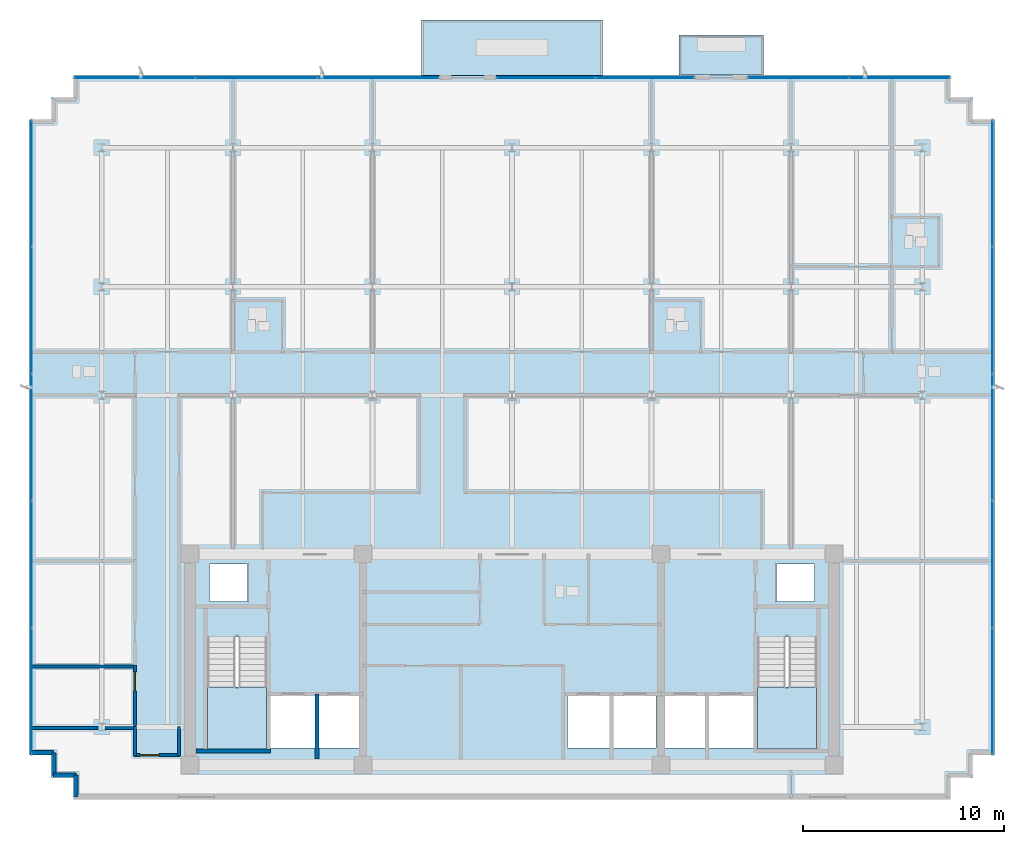
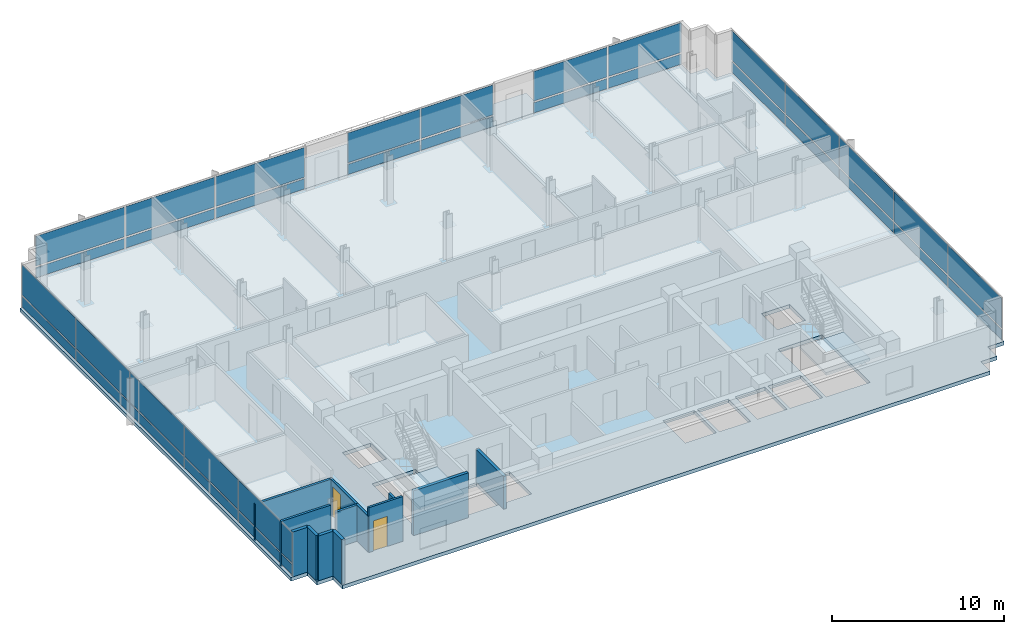
# One storey, part 10 of 19: 34 plates, 13 walls, 5 slabs, 2 doors, 2 openings, 7 elements without a shape of their own.
"""IFC4 building model written with IfcOpenShell, lengths in metres."""

from ifc_helpers import new_model, si_unit, direction, frame, frame_2d, origin, origin_2d, place, context, subcontext, project, spatial, polyline, rectangle, outline, extrude, material, layer, layer_set, type_object, element, fill, aggregate, save


model = new_model("IFC4")

# Units and contexts
model_context = context("Model", 3, precision=1e-05, world=origin(), true_north=direction((0.0, 1.0)))
body_context = subcontext(model_context, "Body", "Model", "MODEL_VIEW")
ifc_project = project(units=[si_unit("LENGTHUNIT", "METRE"), si_unit("AREAUNIT", "SQUARE_METRE"), si_unit("VOLUMEUNIT", "CUBIC_METRE"), si_unit("PLANEANGLEUNIT", "RADIAN"), si_unit("MASSUNIT", "GRAM", prefix="KILO")], contexts=[model_context])

# Site, building, storey
site_placement = place(None, origin())
site = spatial("IfcSite", under=ifc_project, at=site_placement, CompositionType="ELEMENT")
building_placement = place(site_placement, origin())
building = spatial("IfcBuilding", under=site, at=building_placement, Name="Solmavex Isthmus Hotel", CompositionType="ELEMENT")
storey_placement = place(building_placement, frame((0.0, 0.0, 262.64990234375)))
storey = spatial("IfcBuildingStorey", under=building, at=storey_placement, Name="L71", CompositionType="ELEMENT", Elevation=262.64990234375)

# Curtain wall, plates
ifc_material_1 = material(Name="Aluminium alloy 6063-T6", Category="aluminium")
curtain_wall_type = type_object("IfcCurtainWallType", Name="CW-SYS-06", PredefinedType="NOTDEFINED", material=ifc_material_1)
curtain_wall_1_placement = place(storey_placement, origin())
curtain_wall_1 = element("IfcCurtainWall", 1, at=curtain_wall_1_placement, inside=storey, type_object=curtain_wall_type, Name="Stick Curtain Wall CWL-L71-N1", PredefinedType="NOTDEFINED")
ifc_material_2 = material(Name="Clear low-E laminated glass", Category="glass")
ifc_layer_1 = layer(ifc_material_2, 0.028076171875)
ifc_layer_set_1 = layer_set([ifc_layer_1], Name="Clear low-E laminated glass")
plate_type = type_object("IfcPlateType", Name="CW-SYS-06-PNL", PredefinedType="CURTAIN_PANEL", material=ifc_layer_set_1)
plate_1_placement = place(storey_placement, frame((-18.751708984375, 21.179931640625, 0.114990234375), z_axis=(0.0, 0.0, 1.0), x_axis=(1.0, 0.0, 0.0)))
plate_1 = element("IfcPlate", 2, at=plate_1_placement, type_object=plate_type, Name="CW-06 panel 1.1", PredefinedType="CURTAIN_PANEL", context=body_context, shape_type="SweptSolid", body=[
    extrude(rectangle(XDim=5.9765625, YDim=0.028076171875, at=origin_2d()), origin(), (0.0, 0.0, 1.0), 0.7275390625),
])
plate_2_placement = place(storey_placement, frame((-18.751708984375, 21.179931640625, 0.95751953125), z_axis=(0.0, 0.0, 1.0), x_axis=(1.0, 0.0, 0.0)))
plate_2 = element("IfcPlate", 3, at=plate_2_placement, type_object=plate_type, Name="CW-06 panel 1.2", PredefinedType="CURTAIN_PANEL", context=body_context, shape_type="SweptSolid", body=[
    extrude(rectangle(XDim=5.9765625, YDim=0.028076171875, at=origin_2d()), origin(), (0.0, 0.0, 1.0), 2.117431640625),
])
plate_3_placement = place(storey_placement, frame((-12.699951171875, 21.179931640625, 0.114990234375), z_axis=(0.0, 0.0, 1.0), x_axis=(1.0, 0.0, 0.0)))
plate_3 = element("IfcPlate", 4, at=plate_3_placement, type_object=plate_type, Name="CW-06 panel 2.1", PredefinedType="CURTAIN_PANEL", context=body_context, shape_type="SweptSolid", body=[
    extrude(rectangle(XDim=6.006591796875, YDim=0.028076171875, at=origin_2d()), origin(), (0.0, 0.0, 1.0), 0.7275390625),
])
plate_4_placement = place(storey_placement, frame((-12.699951171875, 21.179931640625, 0.95751953125), z_axis=(0.0, 0.0, 1.0), x_axis=(1.0, 0.0, 0.0)))
plate_4 = element("IfcPlate", 5, at=plate_4_placement, type_object=plate_type, Name="CW-06 panel 2.2", PredefinedType="CURTAIN_PANEL", context=body_context, shape_type="SweptSolid", body=[
    extrude(rectangle(XDim=6.006591796875, YDim=0.028076171875, at=origin_2d()), origin(), (0.0, 0.0, 1.0), 2.117431640625),
])
plate_5_placement = place(storey_placement, frame((-6.6484375, 21.179931640625, 0.114990234375), z_axis=(0.0, 0.0, 1.0), x_axis=(1.0, 0.0, 0.0)))
plate_5 = element("IfcPlate", 6, at=plate_5_placement, type_object=plate_type, Name="CW-06 panel 3.1", PredefinedType="CURTAIN_PANEL", context=body_context, shape_type="SweptSolid", body=[
    extrude(rectangle(XDim=5.9765625, YDim=0.028076171875, at=origin_2d()), origin(), (0.0, 0.0, 1.0), 0.7275390625),
])
plate_6_placement = place(storey_placement, frame((-6.6484375, 21.179931640625, 0.95751953125), z_axis=(0.0, 0.0, 1.0), x_axis=(1.0, 0.0, 0.0)))
plate_6 = element("IfcPlate", 7, at=plate_6_placement, type_object=plate_type, Name="CW-06 panel 3.2", PredefinedType="CURTAIN_PANEL", context=body_context, shape_type="SweptSolid", body=[
    extrude(rectangle(XDim=5.9765625, YDim=0.028076171875, at=origin_2d()), origin(), (0.0, 0.0, 1.0), 2.117431640625),
])
aggregate(curtain_wall_1, [plate_1, plate_2, plate_3, plate_4, plate_5, plate_6])

curtain_wall_2_placement = place(storey_placement, origin())
curtain_wall_2 = element("IfcCurtainWall", 8, at=curtain_wall_2_placement, inside=storey, type_object=curtain_wall_type, Name="Stick Curtain Wall CWL-L71-N2", PredefinedType="NOTDEFINED")
plate_7_placement = place(storey_placement, frame((1.69091796875, 21.179931640625, 0.114990234375), z_axis=(0.0, 0.0, 1.0), x_axis=(1.0, 0.0, 0.0)))
plate_7 = element("IfcPlate", 9, at=plate_7_placement, type_object=plate_type, Name="CW-06 panel 1.1", PredefinedType="CURTAIN_PANEL", context=body_context, shape_type="SweptSolid", body=[
    extrude(rectangle(XDim=4.862060546875, YDim=0.028076171875, at=origin_2d()), origin(), (0.0, 0.0, 1.0), 0.7275390625),
])
plate_8_placement = place(storey_placement, frame((1.69091796875, 21.179931640625, 0.95751953125), z_axis=(0.0, 0.0, 1.0), x_axis=(1.0, 0.0, 0.0)))
plate_8 = element("IfcPlate", 10, at=plate_8_placement, type_object=plate_type, Name="CW-06 panel 1.2", PredefinedType="CURTAIN_PANEL", context=body_context, shape_type="SweptSolid", body=[
    extrude(rectangle(XDim=4.862060546875, YDim=0.028076171875, at=origin_2d()), origin(), (0.0, 0.0, 1.0), 2.117431640625),
])
plate_9_placement = place(storey_placement, frame((6.613037109375, 21.179931640625, 0.114990234375), z_axis=(0.0, 0.0, 1.0), x_axis=(1.0, 0.0, 0.0)))
plate_9 = element("IfcPlate", 11, at=plate_9_placement, type_object=plate_type, Name="CW-06 panel 2.1", PredefinedType="CURTAIN_PANEL", context=body_context, shape_type="SweptSolid", body=[
    extrude(rectangle(XDim=4.862060546875, YDim=0.028076171875, at=origin_2d()), origin(), (0.0, 0.0, 1.0), 0.7275390625),
])
plate_10_placement = place(storey_placement, frame((6.613037109375, 21.179931640625, 0.95751953125), z_axis=(0.0, 0.0, 1.0), x_axis=(1.0, 0.0, 0.0)))
plate_10 = element("IfcPlate", 12, at=plate_10_placement, type_object=plate_type, Name="CW-06 panel 2.2", PredefinedType="CURTAIN_PANEL", context=body_context, shape_type="SweptSolid", body=[
    extrude(rectangle(XDim=4.862060546875, YDim=0.028076171875, at=origin_2d()), origin(), (0.0, 0.0, 1.0), 2.117431640625),
])
aggregate(curtain_wall_2, [plate_7, plate_8, plate_9, plate_10])

curtain_wall_3_placement = place(storey_placement, origin())
curtain_wall_3 = element("IfcCurtainWall", 13, at=curtain_wall_3_placement, inside=storey, type_object=curtain_wall_type, Name="Stick Curtain Wall CWL-L71-N3", PredefinedType="NOTDEFINED")
plate_11_placement = place(storey_placement, frame((14.242919921875, 21.179931640625, 0.114990234375), z_axis=(0.0, 0.0, 1.0), x_axis=(1.0, 0.0, 0.0)))
plate_11 = element("IfcPlate", 14, at=plate_11_placement, type_object=plate_type, Name="CW-06 panel 1.1", PredefinedType="CURTAIN_PANEL", context=body_context, shape_type="SweptSolid", body=[
    extrude(rectangle(XDim=4.9580078125, YDim=0.028076171875, at=origin_2d()), origin(), (0.0, 0.0, 1.0), 0.7275390625),
])
plate_12_placement = place(storey_placement, frame((14.242919921875, 21.179931640625, 0.95751953125), z_axis=(0.0, 0.0, 1.0), x_axis=(1.0, 0.0, 0.0)))
plate_12 = element("IfcPlate", 15, at=plate_12_placement, type_object=plate_type, Name="CW-06 panel 1.2", PredefinedType="CURTAIN_PANEL", context=body_context, shape_type="SweptSolid", body=[
    extrude(rectangle(XDim=4.9580078125, YDim=0.028076171875, at=origin_2d()), origin(), (0.0, 0.0, 1.0), 2.117431640625),
])
plate_13_placement = place(storey_placement, frame((19.260986328125, 21.179931640625, 0.114990234375), z_axis=(0.0, 0.0, 1.0), x_axis=(1.0, 0.0, 0.0)))
plate_13 = element("IfcPlate", 16, at=plate_13_placement, type_object=plate_type, Name="CW-06 panel 2.1", PredefinedType="CURTAIN_PANEL", context=body_context, shape_type="SweptSolid", body=[
    extrude(rectangle(XDim=4.9580078125, YDim=0.028076171875, at=origin_2d()), origin(), (0.0, 0.0, 1.0), 0.7275390625),
])
plate_14_placement = place(storey_placement, frame((19.260986328125, 21.179931640625, 0.95751953125), z_axis=(0.0, 0.0, 1.0), x_axis=(1.0, 0.0, 0.0)))
plate_14 = element("IfcPlate", 17, at=plate_14_placement, type_object=plate_type, Name="CW-06 panel 2.2", PredefinedType="CURTAIN_PANEL", context=body_context, shape_type="SweptSolid", body=[
    extrude(rectangle(XDim=4.9580078125, YDim=0.028076171875, at=origin_2d()), origin(), (0.0, 0.0, 1.0), 2.117431640625),
])
aggregate(curtain_wall_3, [plate_11, plate_12, plate_13, plate_14])

curtain_wall_4_placement = place(storey_placement, origin())
curtain_wall_4 = element("IfcCurtainWall", 18, at=curtain_wall_4_placement, inside=storey, type_object=curtain_wall_type, Name="Stick Curtain Wall CWL-L71-W1", PredefinedType="NOTDEFINED")
plate_15_placement = place(storey_placement, frame((-23.8798828125, -9.324951171875, 0.114990234375), z_axis=(0.0, 0.0, 1.0), x_axis=(0.0, 1.0, 0.0)))
plate_15 = element("IfcPlate", 19, at=plate_15_placement, type_object=plate_type, Name="CW-06 panel 1.1", PredefinedType="CURTAIN_PANEL", context=body_context, shape_type="SweptSolid", body=[
    extrude(rectangle(XDim=6.22998046875, YDim=0.028076171875, at=origin_2d()), origin(), (0.0, 0.0, 1.0), 0.7275390625),
])
plate_16_placement = place(storey_placement, frame((-23.8798828125, -9.324951171875, 0.95751953125), z_axis=(0.0, 0.0, 1.0), x_axis=(0.0, 1.0, 0.0)))
plate_16 = element("IfcPlate", 20, at=plate_16_placement, type_object=plate_type, Name="CW-06 panel 1.2", PredefinedType="CURTAIN_PANEL", context=body_context, shape_type="SweptSolid", body=[
    extrude(rectangle(XDim=6.22998046875, YDim=0.028076171875, at=origin_2d()), origin(), (0.0, 0.0, 1.0), 2.117431640625),
])
plate_17_placement = place(storey_placement, frame((-23.8798828125, -3.02001953125, 0.114990234375), z_axis=(0.0, 0.0, 1.0), x_axis=(0.0, 1.0, 0.0)))
plate_17 = element("IfcPlate", 21, at=plate_17_placement, type_object=plate_type, Name="CW-06 panel 2.1", PredefinedType="CURTAIN_PANEL", context=body_context, shape_type="SweptSolid", body=[
    extrude(rectangle(XDim=6.260009765625, YDim=0.028076171875, at=origin_2d()), origin(), (0.0, 0.0, 1.0), 0.7275390625),
])
plate_18_placement = place(storey_placement, frame((-23.8798828125, -3.02001953125, 0.95751953125), z_axis=(0.0, 0.0, 1.0), x_axis=(0.0, 1.0, 0.0)))
plate_18 = element("IfcPlate", 22, at=plate_18_placement, type_object=plate_type, Name="CW-06 panel 2.2", PredefinedType="CURTAIN_PANEL", context=body_context, shape_type="SweptSolid", body=[
    extrude(rectangle(XDim=6.260009765625, YDim=0.028076171875, at=origin_2d()), origin(), (0.0, 0.0, 1.0), 2.117431640625),
])
plate_19_placement = place(storey_placement, frame((-23.8798828125, 3.300048828125, 0.114990234375), z_axis=(0.0, 0.0, 1.0), x_axis=(0.0, 1.0, 0.0)))
plate_19 = element("IfcPlate", 23, at=plate_19_placement, type_object=plate_type, Name="CW-06 panel 3.1", PredefinedType="CURTAIN_PANEL", context=body_context, shape_type="SweptSolid", body=[
    extrude(rectangle(XDim=6.260009765625, YDim=0.028076171875, at=origin_2d()), origin(), (0.0, 0.0, 1.0), 0.7275390625),
])
plate_20_placement = place(storey_placement, frame((-23.8798828125, 3.300048828125, 0.95751953125), z_axis=(0.0, 0.0, 1.0), x_axis=(0.0, 1.0, 0.0)))
plate_20 = element("IfcPlate", 24, at=plate_20_placement, type_object=plate_type, Name="CW-06 panel 3.2", PredefinedType="CURTAIN_PANEL", context=body_context, shape_type="SweptSolid", body=[
    extrude(rectangle(XDim=6.260009765625, YDim=0.028076171875, at=origin_2d()), origin(), (0.0, 0.0, 1.0), 2.117431640625),
])
plate_21_placement = place(storey_placement, frame((-23.8798828125, 9.6201171875, 0.114990234375), z_axis=(0.0, 0.0, 1.0), x_axis=(0.0, 1.0, 0.0)))
plate_21 = element("IfcPlate", 25, at=plate_21_placement, type_object=plate_type, Name="CW-06 panel 4.1", PredefinedType="CURTAIN_PANEL", context=body_context, shape_type="SweptSolid", body=[
    extrude(rectangle(XDim=6.260009765625, YDim=0.028076171875, at=origin_2d()), origin(), (0.0, 0.0, 1.0), 0.7275390625),
])
plate_22_placement = place(storey_placement, frame((-23.8798828125, 9.6201171875, 0.95751953125), z_axis=(0.0, 0.0, 1.0), x_axis=(0.0, 1.0, 0.0)))
plate_22 = element("IfcPlate", 26, at=plate_22_placement, type_object=plate_type, Name="CW-06 panel 4.2", PredefinedType="CURTAIN_PANEL", context=body_context, shape_type="SweptSolid", body=[
    extrude(rectangle(XDim=6.260009765625, YDim=0.028076171875, at=origin_2d()), origin(), (0.0, 0.0, 1.0), 2.117431640625),
])
plate_23_placement = place(storey_placement, frame((-23.8798828125, 15.925048828125, 0.114990234375), z_axis=(0.0, 0.0, 1.0), x_axis=(0.0, 1.0, 0.0)))
plate_23 = element("IfcPlate", 27, at=plate_23_placement, type_object=plate_type, Name="CW-06 panel 5.1", PredefinedType="CURTAIN_PANEL", context=body_context, shape_type="SweptSolid", body=[
    extrude(rectangle(XDim=6.22998046875, YDim=0.028076171875, at=origin_2d()), origin(), (0.0, 0.0, 1.0), 0.7275390625),
])
plate_24_placement = place(storey_placement, frame((-23.8798828125, 15.925048828125, 0.95751953125), z_axis=(0.0, 0.0, 1.0), x_axis=(0.0, 1.0, 0.0)))
plate_24 = element("IfcPlate", 28, at=plate_24_placement, type_object=plate_type, Name="CW-06 panel 5.2", PredefinedType="CURTAIN_PANEL", context=body_context, shape_type="SweptSolid", body=[
    extrude(rectangle(XDim=6.22998046875, YDim=0.028076171875, at=origin_2d()), origin(), (0.0, 0.0, 1.0), 2.117431640625),
])
aggregate(curtain_wall_4, [plate_15, plate_16, plate_17, plate_18, plate_19, plate_20, plate_21, plate_22, plate_23, plate_24])

curtain_wall_5_placement = place(storey_placement, origin())
curtain_wall_5 = element("IfcCurtainWall", 29, at=curtain_wall_5_placement, inside=storey, type_object=curtain_wall_type, Name="Stick Curtain Wall CWL-L71-E1", PredefinedType="NOTDEFINED")
plate_25_placement = place(storey_placement, frame((23.8798828125, -9.324951171875, 0.114990234375), z_axis=(0.0, 0.0, 1.0), x_axis=(0.0, 1.0, 0.0)))
plate_25 = element("IfcPlate", 30, at=plate_25_placement, type_object=plate_type, Name="CW-06 panel 1.1", PredefinedType="CURTAIN_PANEL", context=body_context, shape_type="SweptSolid", body=[
    extrude(rectangle(XDim=6.22998046875, YDim=0.028076171875, at=origin_2d()), origin(), (0.0, 0.0, 1.0), 0.7275390625),
])
plate_26_placement = place(storey_placement, frame((23.8798828125, -9.324951171875, 0.95751953125), z_axis=(0.0, 0.0, 1.0), x_axis=(0.0, 1.0, 0.0)))
plate_26 = element("IfcPlate", 31, at=plate_26_placement, type_object=plate_type, Name="CW-06 panel 1.2", PredefinedType="CURTAIN_PANEL", context=body_context, shape_type="SweptSolid", body=[
    extrude(rectangle(XDim=6.22998046875, YDim=0.028076171875, at=origin_2d()), origin(), (0.0, 0.0, 1.0), 2.117431640625),
])
plate_27_placement = place(storey_placement, frame((23.8798828125, -3.02001953125, 0.114990234375), z_axis=(0.0, 0.0, 1.0), x_axis=(0.0, 1.0, 0.0)))
plate_27 = element("IfcPlate", 32, at=plate_27_placement, type_object=plate_type, Name="CW-06 panel 2.1", PredefinedType="CURTAIN_PANEL", context=body_context, shape_type="SweptSolid", body=[
    extrude(rectangle(XDim=6.260009765625, YDim=0.028076171875, at=origin_2d()), origin(), (0.0, 0.0, 1.0), 0.7275390625),
])
plate_28_placement = place(storey_placement, frame((23.8798828125, -3.02001953125, 0.95751953125), z_axis=(0.0, 0.0, 1.0), x_axis=(0.0, 1.0, 0.0)))
plate_28 = element("IfcPlate", 33, at=plate_28_placement, type_object=plate_type, Name="CW-06 panel 2.2", PredefinedType="CURTAIN_PANEL", context=body_context, shape_type="SweptSolid", body=[
    extrude(rectangle(XDim=6.260009765625, YDim=0.028076171875, at=origin_2d()), origin(), (0.0, 0.0, 1.0), 2.117431640625),
])
plate_29_placement = place(storey_placement, frame((23.8798828125, 3.300048828125, 0.114990234375), z_axis=(0.0, 0.0, 1.0), x_axis=(0.0, 1.0, 0.0)))
plate_29 = element("IfcPlate", 34, at=plate_29_placement, type_object=plate_type, Name="CW-06 panel 3.1", PredefinedType="CURTAIN_PANEL", context=body_context, shape_type="SweptSolid", body=[
    extrude(rectangle(XDim=6.260009765625, YDim=0.028076171875, at=origin_2d()), origin(), (0.0, 0.0, 1.0), 0.7275390625),
])
plate_30_placement = place(storey_placement, frame((23.8798828125, 3.300048828125, 0.95751953125), z_axis=(0.0, 0.0, 1.0), x_axis=(0.0, 1.0, 0.0)))
plate_30 = element("IfcPlate", 35, at=plate_30_placement, type_object=plate_type, Name="CW-06 panel 3.2", PredefinedType="CURTAIN_PANEL", context=body_context, shape_type="SweptSolid", body=[
    extrude(rectangle(XDim=6.260009765625, YDim=0.028076171875, at=origin_2d()), origin(), (0.0, 0.0, 1.0), 2.117431640625),
])
plate_31_placement = place(storey_placement, frame((23.8798828125, 9.6201171875, 0.114990234375), z_axis=(0.0, 0.0, 1.0), x_axis=(0.0, 1.0, 0.0)))
plate_31 = element("IfcPlate", 36, at=plate_31_placement, type_object=plate_type, Name="CW-06 panel 4.1", PredefinedType="CURTAIN_PANEL", context=body_context, shape_type="SweptSolid", body=[
    extrude(rectangle(XDim=6.260009765625, YDim=0.028076171875, at=origin_2d()), origin(), (0.0, 0.0, 1.0), 0.7275390625),
])
plate_32_placement = place(storey_placement, frame((23.8798828125, 9.6201171875, 0.95751953125), z_axis=(0.0, 0.0, 1.0), x_axis=(0.0, 1.0, 0.0)))
plate_32 = element("IfcPlate", 37, at=plate_32_placement, type_object=plate_type, Name="CW-06 panel 4.2", PredefinedType="CURTAIN_PANEL", context=body_context, shape_type="SweptSolid", body=[
    extrude(rectangle(XDim=6.260009765625, YDim=0.028076171875, at=origin_2d()), origin(), (0.0, 0.0, 1.0), 2.117431640625),
])
plate_33_placement = place(storey_placement, frame((23.8798828125, 15.925048828125, 0.114990234375), z_axis=(0.0, 0.0, 1.0), x_axis=(0.0, 1.0, 0.0)))
plate_33 = element("IfcPlate", 38, at=plate_33_placement, type_object=plate_type, Name="CW-06 panel 5.1", PredefinedType="CURTAIN_PANEL", context=body_context, shape_type="SweptSolid", body=[
    extrude(rectangle(XDim=6.22998046875, YDim=0.028076171875, at=origin_2d()), origin(), (0.0, 0.0, 1.0), 0.7275390625),
])
plate_34_placement = place(storey_placement, frame((23.8798828125, 15.925048828125, 0.95751953125), z_axis=(0.0, 0.0, 1.0), x_axis=(0.0, 1.0, 0.0)))
plate_34 = element("IfcPlate", 39, at=plate_34_placement, type_object=plate_type, Name="CW-06 panel 5.2", PredefinedType="CURTAIN_PANEL", context=body_context, shape_type="SweptSolid", body=[
    extrude(rectangle(XDim=6.22998046875, YDim=0.028076171875, at=origin_2d()), origin(), (0.0, 0.0, 1.0), 2.117431640625),
])
aggregate(curtain_wall_5, [plate_25, plate_26, plate_27, plate_28, plate_29, plate_30, plate_31, plate_32, plate_33, plate_34])

# Slabs
ifc_material_3 = material(Name="Concrete C40/50", Category="concrete")
ifc_layer_2 = layer(ifc_material_3, 0.239990234375)
ifc_layer_set_2 = layer_set([ifc_layer_2], Name="Concrete C40/50")
slab_type_1 = type_object("IfcSlabType", Name="SLAB-BALC-240", PredefinedType="FLOOR", material=ifc_layer_set_2)
slab_1_placement = place(storey_placement, frame((0.0, 0.0, -0.239990234375)))
element("IfcSlab", 40, at=slab_1_placement, inside=storey, type_object=slab_type_1, Name="Tree-Planter Balcony Slab L71-B2", PredefinedType="FLOOR", context=body_context, shape_type="SweptSolid", body=[
    extrude(outline(polyline([(8.303955078125, 21.31494140625), (12.50390625, 21.31494140625), (12.50390625, 23.300048828125), (8.303955078125, 23.300048828125), (8.303955078125, 21.31494140625)])), origin(), (0.0, 0.0, 1.0), 0.239990234375),
])
ifc_layer_3 = layer(ifc_material_3, 0.260009765625)
ifc_layer_set_3 = layer_set([ifc_layer_3], Name="Concrete C40/50")
slab_type_2 = type_object("IfcSlabType", Name="SLAB-SG-260", PredefinedType="FLOOR", material=ifc_layer_set_3)
slab_2_placement = place(storey_placement, frame((0.0, 0.0, -0.260009765625)))
element("IfcSlab", 41, at=slab_2_placement, inside=storey, type_object=slab_type_2, Name="Sky Garden Terrace Slab SG4 L71", PredefinedType="FLOOR", context=body_context, shape_type="SweptSolid", body=[
    extrude(outline(polyline([(-4.5, 21.301025390625), (4.5, 21.301025390625), (4.5, 24.050048828125), (-4.5, 24.050048828125), (-4.5, 21.301025390625)])), origin(), (0.0, 0.0, 1.0), 0.260009765625),
])
ifc_layer_4 = layer(ifc_material_3, 0.260009765625)
ifc_layer_set_4 = layer_set([ifc_layer_4], Name="Concrete C40/50")
slab_type_3 = type_object("IfcSlabType", Name="SLAB-TYP-260", PredefinedType="FLOOR", material=ifc_layer_set_4)
slab_3_placement = place(storey_placement, frame((0.0, 0.0, -0.260009765625)))
element("IfcSlab", 42, at=slab_3_placement, inside=storey, type_object=slab_type_3, Name="Tower Structural Floor Slab L71", PredefinedType="FLOOR", context=body_context, shape_type="SweptSolid", body=[
    extrude(outline(polyline([(-20.699951171875, -14.699951171875), (20.699951171875, -14.699951171875), (21.800048828125, -14.699951171875), (21.800048828125, -13.60009765625), (22.89990234375, -13.60009765625), (22.89990234375, -12.5), (24.0, -12.5), (24.0, -11.39990234375), (24.0, 18.0), (24.0, 19.10009765625), (22.89990234375, 19.10009765625), (22.89990234375, 20.199951171875), (21.800048828125, 20.199951171875), (21.800048828125, 21.300048828125), (20.699951171875, 21.300048828125), (-20.699951171875, 21.300048828125), (-21.800048828125, 21.300048828125), (-21.800048828125, 20.199951171875), (-22.89990234375, 20.199951171875), (-22.89990234375, 19.10009765625), (-24.0, 19.10009765625), (-24.0, 18.0), (-24.0, -11.39990234375), (-24.0, -12.5), (-22.89990234375, -12.5), (-22.89990234375, -13.60009765625), (-21.800048828125, -13.60009765625), (-21.800048828125, -14.699951171875), (-20.699951171875, -14.699951171875)]), holes=[polyline([(-15.14990234375, -6.617919921875), (-15.14990234375, -12.199951171875), (-12.199951171875, -12.199951171875), (-12.199951171875, -6.617919921875), (-15.14990234375, -6.617919921875)]), polyline([(12.199951171875, -6.617919921875), (12.199951171875, -12.199951171875), (15.14990234375, -12.199951171875), (15.14990234375, -6.617919921875), (12.199951171875, -6.617919921875)]), polyline([(-12.0, -12.14990234375), (-9.800048828125, -12.14990234375), (-9.800048828125, -9.550048828125), (-12.0, -9.550048828125), (-12.0, -12.14990234375)]), polyline([(9.800048828125, -12.14990234375), (12.0, -12.14990234375), (12.0, -9.550048828125), (9.800048828125, -9.550048828125), (9.800048828125, -12.14990234375)]), polyline([(-9.60009765625, -12.14990234375), (-7.60009765625, -12.14990234375), (-7.60009765625, -9.550048828125), (-9.60009765625, -9.550048828125), (-9.60009765625, -12.14990234375)]), polyline([(7.60009765625, -12.14990234375), (9.60009765625, -12.14990234375), (9.60009765625, -9.550048828125), (7.60009765625, -9.550048828125), (7.60009765625, -12.14990234375)]), polyline([(2.75, -12.14990234375), (4.85009765625, -12.14990234375), (4.85009765625, -9.550048828125), (2.75, -9.550048828125), (2.75, -12.14990234375)]), polyline([(5.050048828125, -12.14990234375), (7.14990234375, -12.14990234375), (7.14990234375, -9.550048828125), (5.050048828125, -9.550048828125), (5.050048828125, -12.14990234375)]), polyline([(-15.050048828125, -4.85009765625), (-13.14990234375, -4.85009765625), (-13.14990234375, -3.0), (-15.050048828125, -3.0), (-15.050048828125, -4.85009765625)]), polyline([(13.14990234375, -4.85009765625), (15.050048828125, -4.85009765625), (15.050048828125, -3.0), (13.14990234375, -3.0), (13.14990234375, -4.85009765625)])]), origin(), (0.0, 0.0, 1.0), 0.260009765625),
])

# Stair, slab
stair_type_1 = type_object("IfcStairType", Name="STR-ST-1", PredefinedType="HALF_TURN_STAIR", material=ifc_material_3)
stair_1_placement = place(storey_placement, origin())
stair_1 = element("IfcStair", 43, at=stair_1_placement, inside=storey, type_object=stair_type_1, Name="L71 Protected Exit Stair ST-1", PredefinedType="HALF_TURN_STAIR")
ifc_layer_5 = layer(ifc_material_3, 0.219970703125)
ifc_layer_set_5 = layer_set([ifc_layer_5], Name="Concrete C40/50")
slab_type_4 = type_object("IfcSlabType", Name="SLD-ST-1", PredefinedType="LANDING", material=ifc_layer_set_5)
slab_4_placement = place(storey_placement, frame((0.0, 0.0, 1.525146484375)))
slab_4 = element("IfcSlab", 44, at=slab_4_placement, type_object=slab_type_4, Name="ST-1 landing 1", PredefinedType="LANDING", context=body_context, shape_type="SweptSolid", body=[
    extrude(outline(polyline([(-15.14990234375, -9.1201171875), (-15.14990234375, -12.199951171875), (-12.199951171875, -12.199951171875), (-12.199951171875, -9.1201171875), (-15.14990234375, -9.1201171875)])), origin(), (0.0, 0.0, 1.0), 0.199951171875),
])
aggregate(stair_1, [slab_4])

stair_type_2 = type_object("IfcStairType", Name="STR-ST-2", PredefinedType="HALF_TURN_STAIR", material=ifc_material_3)
stair_2_placement = place(storey_placement, origin())
stair_2 = element("IfcStair", 45, at=stair_2_placement, inside=storey, type_object=stair_type_2, Name="L71 Protected Exit Stair ST-2", PredefinedType="HALF_TURN_STAIR")
ifc_layer_6 = layer(ifc_material_3, 0.219970703125)
ifc_layer_set_6 = layer_set([ifc_layer_6], Name="Concrete C40/50")
slab_type_5 = type_object("IfcSlabType", Name="SLD-ST-2", PredefinedType="LANDING", material=ifc_layer_set_6)
slab_5_placement = place(storey_placement, frame((0.0, 0.0, 1.525146484375)))
slab_5 = element("IfcSlab", 46, at=slab_5_placement, type_object=slab_type_5, Name="ST-2 landing 1", PredefinedType="LANDING", context=body_context, shape_type="SweptSolid", body=[
    extrude(outline(polyline([(12.199951171875, -9.1201171875), (12.199951171875, -12.199951171875), (15.14990234375, -12.199951171875), (15.14990234375, -9.1201171875), (12.199951171875, -9.1201171875)])), origin(), (0.0, 0.0, 1.0), 0.199951171875),
])
aggregate(stair_2, [slab_5])

# Walls
ifc_material_4 = material(Name="Precast Concrete C40/50", Category="concrete")
ifc_layer_7 = layer(ifc_material_4, 0.25)
ifc_layer_set_7 = layer_set([ifc_layer_7], Name="Precast Concrete C40/50")
wall_type_1 = type_object("IfcWallType", Name="EW-TWR-250", PredefinedType="STANDARD", material=ifc_layer_set_7)
for number, where, z_axis, x_axis, name in (
    (47, (-21.68994140625, -14.590087890625, 0.0), (0.0, 0.0, 1.0), (0.0, 1.0, 0.0), "Serrated Corner Facade Panel L71-01"),
    (48, (-21.68994140625, -13.489990234375, 0.0), (0.0, 0.0, 1.0), (-1.0, 0.0, 0.0), "Serrated Corner Facade Panel L71-02"),
    (49, (-22.7900390625, -13.489990234375, 0.0), (0.0, 0.0, 1.0), (0.0, 1.0, 0.0), "Serrated Corner Facade Panel L71-03"),
):
    element("IfcWall", number, at=place(storey_placement, frame(where, z_axis=z_axis, x_axis=x_axis)), inside=storey, type_object=wall_type_1, Name=name, PredefinedType="STANDARD", context=body_context, shape_type="SweptSolid", body=[
        extrude(rectangle(XDim=1.10009765625, YDim=0.219970703125, at=frame_2d((0.550048828125, 0.0))), origin(), (0.0, 0.0, 1.0), 3.190185546875),
    ])
wall_1_placement = place(storey_placement, frame((-22.7900390625, -12.389892578125, 0.0), z_axis=(0.0, 0.0, 1.0), x_axis=(-1.0, 0.0, 0.0)))
element("IfcWall", 50, at=wall_1_placement, inside=storey, type_object=wall_type_1, Name="Serrated Corner Facade Panel L71-04", PredefinedType="STANDARD", context=body_context, shape_type="SweptSolid", body=[
    extrude(rectangle(XDim=1.099853515625, YDim=0.219970703125, at=frame_2d((0.5498046875, 0.0))), origin(), (0.0, 0.0, 1.0), 3.190185546875),
])
ifc_material_5 = material(Name="Gypsum plasterboard lining", Category="gypsum")
ifc_layer_8 = layer(ifc_material_5, 0.159912109375)
ifc_layer_set_8 = layer_set([ifc_layer_8], Name="Gypsum plasterboard lining")
wall_type_2 = type_object("IfcWallType", Name="IW-COMP-160", PredefinedType="PARTITIONING", material=ifc_layer_set_8)
wall_2_placement = place(storey_placement, frame((-23.919921875, -8.10009765625, 0.0), z_axis=(0.0, 0.0, 1.0), x_axis=(1.0, 0.0, 0.0)))
element("IfcWall", 51, at=wall_2_placement, inside=storey, type_object=wall_type_2, Name="Interior Partition Wall W-L71-P063", PredefinedType="PARTITIONING", context=body_context, shape_type="SweptSolid", body=[
    extrude(rectangle(XDim=5.2099609375, YDim=0.159912109375, at=frame_2d((2.60498046875, 0.0))), origin(), (0.0, 0.0, 1.0), 2.5576171875),
])
wall_3_placement = place(storey_placement, frame((-20.574951171875, -11.14990234375, 0.0), z_axis=(0.0, 0.0, 1.0), x_axis=(-1.0, 0.0, 0.0)))
element("IfcWall", 52, at=wall_3_placement, inside=storey, type_object=wall_type_2, Name="Interior Partition Wall W-L71-P064", PredefinedType="PARTITIONING", context=body_context, shape_type="SweptSolid", body=[
    extrude(rectangle(XDim=3.344970703125, YDim=0.159912109375, at=frame_2d((1.67236328125, 0.0))), origin(), (0.0, 0.0, 1.0), 3.190185546875),
])
wall_4_placement = place(storey_placement, frame((-18.7099609375, -11.14990234375, 0.0), z_axis=(0.0, 0.0, 1.0), x_axis=(-1.0, 0.0, 0.0)))
element("IfcWall", 53, at=wall_4_placement, inside=storey, type_object=wall_type_2, Name="Interior Partition Wall W-L71-P065", PredefinedType="PARTITIONING", context=body_context, shape_type="SweptSolid", body=[
    extrude(rectangle(XDim=1.51513671875, YDim=0.159912109375, at=frame_2d((0.757568359375, 0.0))), origin(), (0.0, 0.0, 1.0), 2.5576171875),
])

# Wall, opening, door
ifc_layer_9 = layer(ifc_material_5, 0.14990234375)
ifc_layer_set_9 = layer_set([ifc_layer_9], Name="Gypsum plasterboard lining")
wall_type_3 = type_object("IfcWallType", Name="IW-CORR-150", PredefinedType="PARTITIONING", material=ifc_layer_set_9)
wall_5_placement = place(storey_placement, frame((-18.75, -11.23193359375, 0.0), z_axis=(0.0, 0.0, 1.0), x_axis=(0.0, 1.0, 0.0)))
wall_5 = element("IfcWall", 54, at=wall_5_placement, inside=storey, type_object=wall_type_3, Name="Interior Partition Wall W-L71-P010", PredefinedType="PARTITIONING", context=body_context, shape_type="SweptSolid", body=[
    extrude(rectangle(XDim=3.2138671875, YDim=0.14990234375, at=frame_2d((1.60693359375, 0.0))), origin(), (0.0, 0.0, 1.0), 2.5576171875),
])
opening_1_placement = place(wall_5_placement, frame((1.921875, 0.0, 0.0)))
opening_1 = element("IfcOpeningElement", 55, at=opening_1_placement, cuts=wall_5, Name="Opening ID-C095", PredefinedType="OPENING", context=body_context, shape_type="SweptSolid", body=[
    extrude(rectangle(XDim=0.949951171875, YDim=2.14990234375, at=frame_2d((0.47509765625, 1.074951171875))), frame((0.0, 0.0849609375, 0.0), z_axis=(0.0, -1.0, 0.0), x_axis=(1.0, 0.0, 0.0)), (0.0, 0.0, 1.0), 0.169921875),
])
ifc_material_6 = material(Name="Hardwood timber", Category="wood")
door_type = type_object("IfcDoorType", Name="IDR-FD60-0950", OperationType="NOTDEFINED", PredefinedType="DOOR", material=ifc_material_6)
door_1_placement = place(opening_1_placement, frame((0.949951171875, 0.0, 0.0), z_axis=(0.0, 0.0, 1.0), x_axis=(-1.0, 0.0, 0.0)))
door_1 = element("IfcDoor", 56, at=door_1_placement, inside=storey, type_object=door_type, Name="Tea Ceremony Kitchen Door L71-13", OperationType="SINGLE_SWING_LEFT", OverallHeight=2.14990234375, OverallWidth=0.949951171875, PredefinedType="DOOR", context=body_context, shape_type="SweptSolid", body=[
    extrude(rectangle(XDim=0.949951171875, YDim=2.14990234375, at=frame_2d((0.47509765625, 1.074951171875))), frame((0.0, 0.02490234375, 0.0), z_axis=(0.0, -1.0, 0.0), x_axis=(1.0, 0.0, 0.0)), (0.0, 0.0, 1.0), 0.050048828125),
])
fill(opening_1, door_1)

# Wall
wall_6_placement = place(storey_placement, frame((-16.550048828125, -11.068115234375, 0.0), z_axis=(0.0, 0.0, 1.0), x_axis=(0.0, -1.0, 0.0)))
element("IfcWall", 57, at=wall_6_placement, inside=storey, type_object=wall_type_3, Name="Interior Partition Wall W-L71-P021", PredefinedType="PARTITIONING", context=body_context, shape_type="SweptSolid", body=[
    extrude(rectangle(XDim=1.471923828125, YDim=0.14990234375, at=frame_2d((0.73583984375, 0.0))), origin(), (0.0, 0.0, 1.0), 2.5576171875),
])

# Wall, opening, door
wall_7_placement = place(storey_placement, frame((-16.510009765625, -12.5, 0.0), z_axis=(0.0, 0.0, 1.0), x_axis=(-1.0, 0.0, 0.0)))
wall_7 = element("IfcWall", 58, at=wall_7_placement, inside=storey, type_object=wall_type_3, Name="Interior Partition Wall W-L71-P022", PredefinedType="PARTITIONING", context=body_context, shape_type="SweptSolid", body=[
    extrude(rectangle(XDim=2.280029296875, YDim=0.14990234375, at=frame_2d((1.14013671875, 0.0))), origin(), (0.0, 0.0, 1.0), 3.190185546875),
])
opening_2_placement = place(wall_7_placement, frame((1.03466796875, 0.0, 0.0)))
opening_2 = element("IfcOpeningElement", 59, at=opening_2_placement, cuts=wall_7, Name="Opening ID-C095", PredefinedType="OPENING", context=body_context, shape_type="SweptSolid", body=[
    extrude(rectangle(XDim=0.949951171875, YDim=2.14990234375, at=frame_2d((0.47509765625, 1.074951171875))), frame((0.0, 0.0849609375, 0.0), z_axis=(0.0, -1.0, 0.0), x_axis=(1.0, 0.0, 0.0)), (0.0, 0.0, 1.0), 0.169921875),
])
door_2_placement = place(opening_2_placement, frame((0.949951171875, 0.0, 0.0), z_axis=(0.0, 0.0, 1.0), x_axis=(-1.0, 0.0, 0.0)))
door_2 = element("IfcDoor", 60, at=door_2_placement, inside=storey, type_object=door_type, Name="Executive Meeting Room Door L71-18", OperationType="SINGLE_SWING_RIGHT", OverallHeight=2.14990234375, OverallWidth=0.949951171875, PredefinedType="DOOR", context=body_context, shape_type="SweptSolid", body=[
    extrude(rectangle(XDim=0.949951171875, YDim=2.14990234375, at=frame_2d((0.47509765625, 1.074951171875))), frame((0.0, 0.02490234375, 0.0), z_axis=(0.0, -1.0, 0.0), x_axis=(1.0, 0.0, 0.0)), (0.0, 0.0, 1.0), 0.050048828125),
])
fill(opening_2, door_2)

# Walls
wall_8_placement = place(storey_placement, frame((-18.75, -12.5400390625, 0.0), z_axis=(0.0, 0.0, 1.0), x_axis=(0.0, 1.0, 0.0)))
element("IfcWall", 61, at=wall_8_placement, inside=storey, type_object=wall_type_3, Name="Interior Partition Wall W-L71-P023", PredefinedType="PARTITIONING", context=body_context, shape_type="SweptSolid", body=[
    extrude(rectangle(XDim=1.471923828125, YDim=0.14990234375, at=frame_2d((0.73583984375, 0.0))), origin(), (0.0, 0.0, 1.0), 2.5576171875),
])
ifc_layer_10 = layer(ifc_material_3, 0.199951171875)
ifc_layer_set_10 = layer_set([ifc_layer_10], Name="Concrete C40/50")
wall_type_4 = type_object("IfcWallType", Name="IW-SHAFT-200", PredefinedType="PARTITIONING", material=ifc_layer_set_10)
wall_9_placement = place(storey_placement, frame((-9.699951171875, -12.699951171875, 0.0), z_axis=(0.0, 0.0, 1.0), x_axis=(0.0, 1.0, 0.0)))
element("IfcWall", 62, at=wall_9_placement, inside=storey, type_object=wall_type_4, Name="Interior Partition Wall W-L71-FFLW-M", PredefinedType="PARTITIONING", context=body_context, shape_type="SweptSolid", body=[
    extrude(rectangle(XDim=3.25, YDim=0.199951171875, at=frame_2d((1.625, 0.0))), origin(), (0.0, 0.0, 1.0), 2.3251953125),
])
ifc_layer_11 = layer(ifc_material_3, 0.199951171875)
ifc_layer_set_11 = layer_set([ifc_layer_11], Name="Concrete C40/50")
wall_type_5 = type_object("IfcWallType", Name="WALL-SW-200", PredefinedType="SOLIDWALL", material=ifc_layer_set_11)
wall_10_placement = place(storey_placement, frame((-15.699951171875, -12.300048828125, 0.0), z_axis=(0.0, 0.0, 1.0), x_axis=(1.0, 0.0, 0.0)))
element("IfcWall", 63, at=wall_10_placement, inside=storey, type_object=wall_type_5, Name="Stairwell Structural Wall SW-L71-ST1-S", PredefinedType="SOLIDWALL", context=body_context, shape_type="SweptSolid", body=[
    extrude(rectangle(XDim=3.699951171875, YDim=0.199951171875, at=frame_2d((1.85009765625, 0.0))), origin(), (0.0, 0.0, 1.0), 3.190185546875),
])

save(model, "model.ifc")
